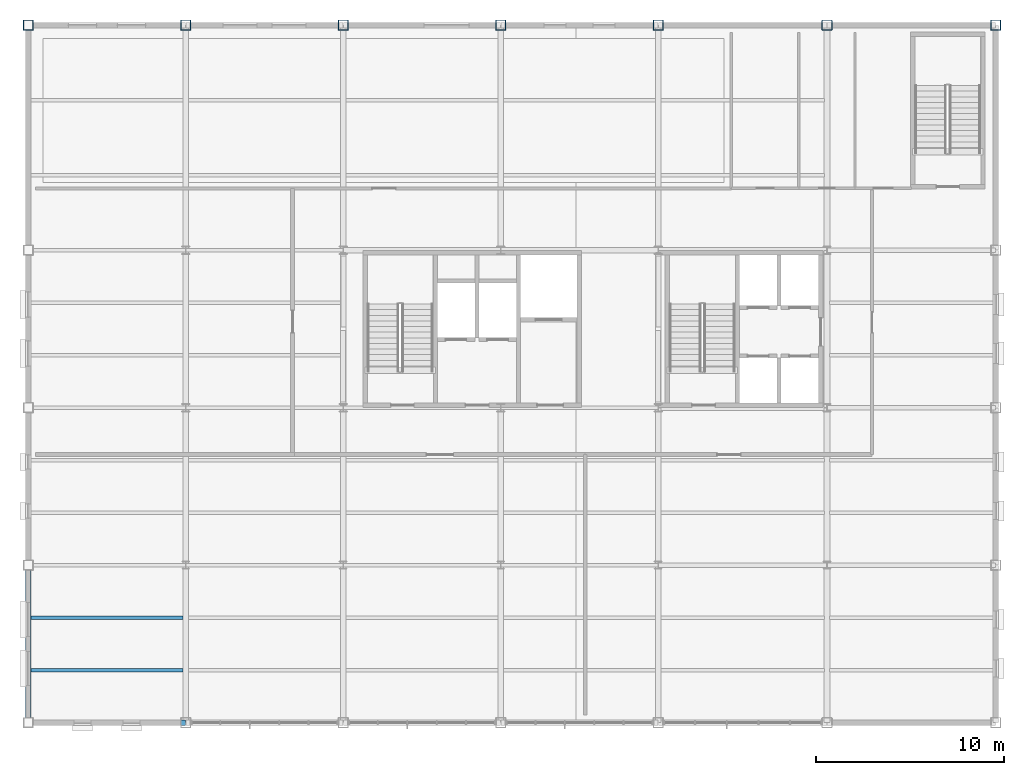
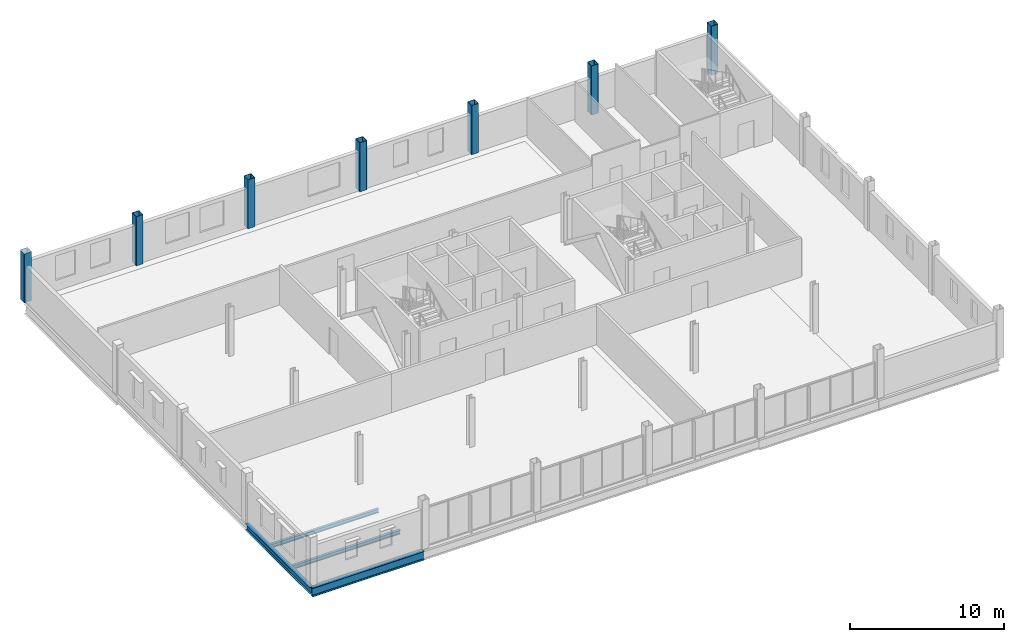
# One storey, part 3 of 17: 7 columns, 4 beams.
"""IFC4 building model written with IfcOpenShell, lengths in metres."""

from ifc_helpers import new_model, si_unit, direction, frame, origin, origin_2d, place, context, subcontext, project, spatial, hollow_rectangle, i_section, extrude, material, material_profile, profile_set, type_object, element, save


model = new_model("IFC4")

# Units and contexts
model_context = context("Model", 3, precision=1e-05, world=origin(), true_north=direction((0.0, 1.0)))
body_context = subcontext(model_context, "Body", "Model", "MODEL_VIEW")
ifc_project = project(units=[si_unit("LENGTHUNIT", "METRE"), si_unit("AREAUNIT", "SQUARE_METRE"), si_unit("VOLUMEUNIT", "CUBIC_METRE"), si_unit("PLANEANGLEUNIT", "RADIAN"), si_unit("MASSUNIT", "GRAM", prefix="KILO")], contexts=[model_context])

# Site, building, storey
site_placement = place(None, origin())
site = spatial("IfcSite", under=ifc_project, at=site_placement, CompositionType="ELEMENT")
building_placement = place(site_placement, origin())
building = spatial("IfcBuilding", under=site, at=building_placement, Name="Yukiwa Park Conservatory and Herbarium", CompositionType="ELEMENT")
storey_placement = place(building_placement, frame((0.0, 0.0, 17.10009765625)))
storey = spatial("IfcBuildingStorey", under=building, at=storey_placement, Name="L04", CompositionType="ELEMENT", Elevation=17.10009765625)

# Columns
ifc_material_1 = material(Name="Steel Q355D", Category="steel")
ifc_material_profile_1 = material_profile(ifc_material_1, hollow_rectangle(XDim=0.550048828125, YDim=0.550048828125, WallThickness=0.02197265625, InnerFilletRadius=0.02197265625, OuterFilletRadius=0.0439453125, at=origin_2d()), Name="BOX 550x550x22")
ifc_profile_set_1 = profile_set([ifc_material_profile_1], Name="Steel Q355D")
column_type = type_object("IfcColumnType", Name="COL-TW-BOX550-EXT", PredefinedType="COLUMN", material=ifc_profile_set_1)
column_placement = place(storey_placement, frame((116.39990234375, 115.199951171875, 0.0), z_axis=(0.0, 0.0, 1.0), x_axis=(1.0, 0.0, 0.0)))
element("IfcColumn", 1, at=column_placement, inside=storey, type_object=column_type, Name="L04 column V5-X1164-Y1152", PredefinedType="COLUMN", context=body_context, shape_type="SweptSolid", body=[
    extrude(hollow_rectangle(XDim=0.550048828125, YDim=0.550048828125, WallThickness=0.02197265625, InnerFilletRadius=0.02197265625, OuterFilletRadius=0.0439453125, at=origin_2d()), origin(), (0.0, 0.0, 1.0), 3.8759765625),
])
for number, where, z_axis, x_axis, name in (
    (2, (124.800048828125, 115.199951171875, 0.0), (0.0, 0.0, 1.0), (1.0, 0.0, 0.0), "L04 column V5-X1248-Y1152"),
    (3, (133.199951171875, 115.199951171875, 0.0), (0.0, 0.0, 1.0), (1.0, 0.0, 0.0), "L04 column V5-X1332-Y1152"),
    (4, (141.60009765625, 115.199951171875, 0.0), (0.0, 0.0, 1.0), (1.0, 0.0, 0.0), "L04 column V5-X1416-Y1152"),
    (5, (150.0, 115.199951171875, 0.0), (0.0, 0.0, 1.0), (1.0, 0.0, 0.0), "L04 column V5-X1500-Y1152"),
    (6, (159.0, 115.199951171875, 0.0), (0.0, 0.0, 1.0), (1.0, 0.0, 0.0), "L04 column V5-X1590-Y1152"),
    (7, (168.0, 115.199951171875, 0.0), (0.0, 0.0, 1.0), (1.0, 0.0, 0.0), "L04 column V5-X1680-Y1152"),
):
    element("IfcColumn", number, at=place(storey_placement, frame(where, z_axis=z_axis, x_axis=x_axis)), inside=storey, type_object=column_type, Name=name, PredefinedType="COLUMN", context=body_context, shape_type="SweptSolid", body=[
        extrude(hollow_rectangle(XDim=0.550048828125, YDim=0.550048828125, WallThickness=0.02197265625, InnerFilletRadius=0.02197265625, OuterFilletRadius=0.0439453125, at=origin_2d()), origin(), (0.0, 0.0, 1.0), 3.89990234375),
    ])

# Beams
ifc_material_2 = material(Name="Steel Q355D", Category="steel")
ifc_material_profile_2 = material_profile(ifc_material_2, i_section(OverallWidth=0.199951171875, OverallDepth=0.300048828125, WebThickness=0.008056640625, FlangeThickness=0.011962890625, FilletRadius=0.01806640625, at=origin_2d()), Name="HM 300x200x8x12")
ifc_profile_set_2 = profile_set([ifc_material_profile_2], Name="Steel Q355D")
beam_type_1 = type_object("IfcBeamType", Name="BM-JST-HM300", PredefinedType="JOIST", material=ifc_profile_set_2)
for number, where, z_axis, x_axis, name in (
    (8, (116.5458984375, 80.800048828125, -0.43017578125), (1.0, 0.0, 0.0), (0.0, 1.0, 0.0), "L04 composite floor joist 1"),
    (9, (116.5458984375, 83.60009765625, -0.43017578125), (1.0, 0.0, 0.0), (0.0, 1.0, 0.0), "L04 composite floor joist 2"),
):
    element("IfcBeam", number, at=place(storey_placement, frame(where, z_axis=z_axis, x_axis=x_axis)), inside=storey, type_object=beam_type_1, Name=name, PredefinedType="JOIST", context=body_context, shape_type="SweptSolid", body=[
        extrude(i_section(OverallWidth=0.199951171875, OverallDepth=0.300048828125, WebThickness=0.008056640625, FlangeThickness=0.011962890625, FilletRadius=0.01806640625, at=origin_2d()), origin(), (0.0, 0.0, 1.0), 8.108154296875),
    ])
ifc_material_3 = material(Name="Steel Q355D", Category="steel")
ifc_material_profile_3 = material_profile(ifc_material_3, i_section(OverallWidth=0.300048828125, OverallDepth=0.5, WebThickness=0.010986328125, FlangeThickness=0.01806640625, FilletRadius=0.02392578125, at=origin_2d()), Name="HM 500x300x11x18")
ifc_profile_set_3 = profile_set([ifc_material_profile_3], Name="Steel Q355D")
beam_type_2 = type_object("IfcBeamType", Name="BM-SPN-HN500", PredefinedType="SPANDREL", material=ifc_profile_set_3)
beam_1_placement = place(storey_placement, frame((116.39990234375, 78.006103515625, -0.530029296875), z_axis=(0.0, 1.0, 0.0), x_axis=(-1.0, 0.0, 0.0)))
element("IfcBeam", 10, at=beam_1_placement, inside=storey, type_object=beam_type_2, Name="L04 spandrel girder Y-31", PredefinedType="SPANDREL", context=body_context, shape_type="SweptSolid", body=[
    extrude(i_section(OverallWidth=0.300048828125, OverallDepth=0.5, WebThickness=0.010986328125, FlangeThickness=0.01806640625, FilletRadius=0.02392578125, at=origin_2d()), origin(), (0.0, 0.0, 1.0), 8.387939453125),
])
ifc_material_4 = material(Name="Steel Q355D", Category="steel")
ifc_material_profile_4 = material_profile(ifc_material_4, i_section(OverallWidth=0.300048828125, OverallDepth=0.69189453125, WebThickness=0.012939453125, FlangeThickness=0.02001953125, FilletRadius=0.028076171875, at=origin_2d()), Name="HN 692x300x13x20")
ifc_profile_set_4 = profile_set([ifc_material_profile_4], Name="Steel Q355D")
beam_type_3 = type_object("IfcBeamType", Name="BM-SPN-HN550", PredefinedType="SPANDREL", material=ifc_profile_set_4)
beam_2_placement = place(storey_placement, frame((116.406005859375, 78.0, -0.6259765625), z_axis=(1.0, 0.0, 0.0), x_axis=(0.0, 1.0, 0.0)))
element("IfcBeam", 11, at=beam_2_placement, inside=storey, type_object=beam_type_3, Name="L04 spandrel beam X-1", PredefinedType="SPANDREL", context=body_context, shape_type="SweptSolid", body=[
    extrude(i_section(OverallWidth=0.300048828125, OverallDepth=0.69189453125, WebThickness=0.012939453125, FlangeThickness=0.02001953125, FilletRadius=0.028076171875, at=origin_2d()), origin(), (0.0, 0.0, 1.0), 8.387939453125),
])

save(model, "model.ifc")
